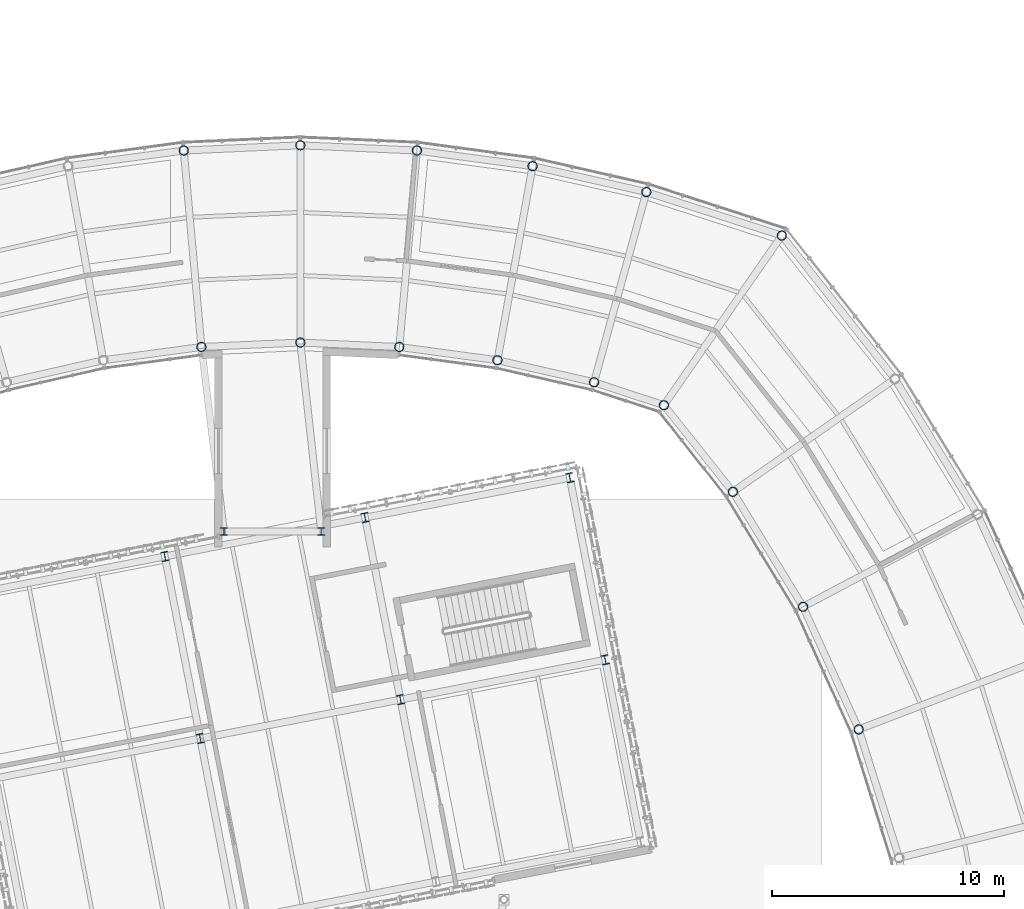
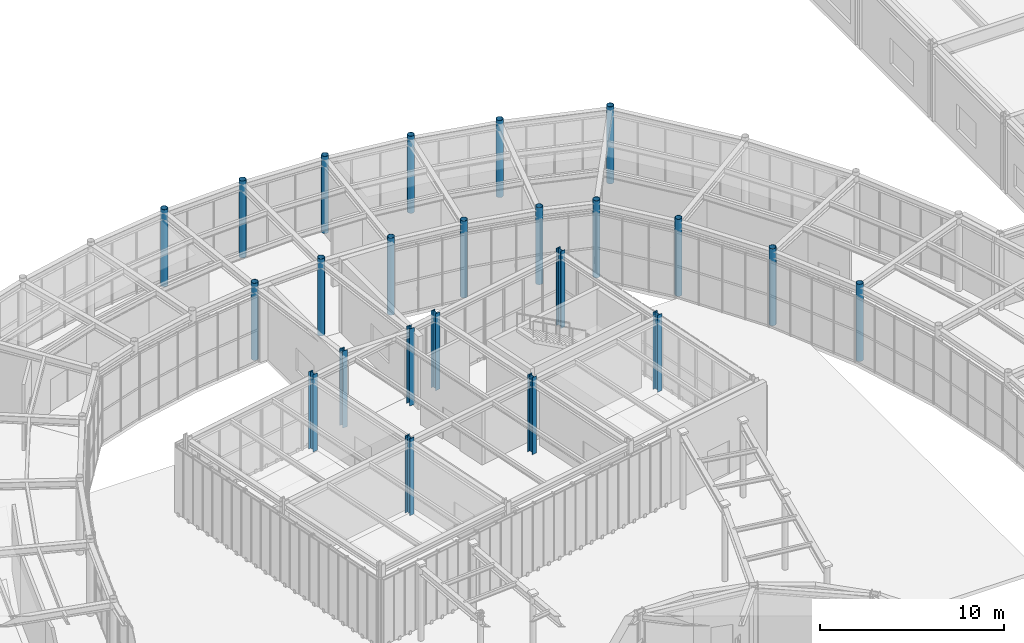
# One storey, part 12 of 97: 23 columns.
"""IFC4 building model written with IfcOpenShell, lengths in metres."""

from ifc_helpers import new_model, si_unit, direction, frame, origin, origin_2d, place, context, subcontext, project, spatial, hollow_circle, i_section, extrude, material, material_profile, profile_set, type_object, element, save


model = new_model("IFC4")

# Units and contexts
model_context = context("Model", 3, precision=1e-05, world=origin(), true_north=direction((0.0, 1.0)))
body_context = subcontext(model_context, "Body", "Model", "MODEL_VIEW")
ifc_project = project(units=[si_unit("LENGTHUNIT", "METRE"), si_unit("AREAUNIT", "SQUARE_METRE"), si_unit("VOLUMEUNIT", "CUBIC_METRE"), si_unit("PLANEANGLEUNIT", "RADIAN"), si_unit("MASSUNIT", "GRAM", prefix="KILO")], contexts=[model_context])

# Site, building, storey
site_placement = place(None, origin())
site = spatial("IfcSite", under=ifc_project, at=site_placement, CompositionType="ELEMENT")
building_placement = place(site_placement, origin())
building = spatial("IfcBuilding", under=site, at=building_placement, Name="Varnklinge Art Gallery", CompositionType="ELEMENT")
storey_placement = place(building_placement, origin())
storey = spatial("IfcBuildingStorey", under=building, at=storey_placement, Name="L00", CompositionType="ELEMENT", Elevation=0.0)

# Columns
ifc_material_1 = material(Name="Steel S355", Category="steel")
ifc_material_profile_1 = material_profile(ifc_material_1, i_section(OverallWidth=0.300048828125, OverallDepth=0.39990234375, WebThickness=0.013427734375, FlangeThickness=0.02392578125, FilletRadius=0.027099609375, at=origin_2d()), Name="HEB 400")
ifc_profile_set_1 = profile_set([ifc_material_profile_1], Name="Steel S355")
column_type_1 = type_object("IfcColumnType", Name="COL-07", PredefinedType="COLUMN", material=ifc_profile_set_1)
for number, where, z_axis, x_axis, name in (
    (1, (71.180908203125, 71.660400390625, 0.0), (0.0, 0.0, 1.0), (0.981627183448, 0.190808995377, 0.0), "L00 Column V4BC-2-2"),
    (2, (79.819091796875, 73.339599609375, 0.0), (0.0, 0.0, 1.0), (0.981627183448, 0.190808995377, 0.0), "L00 Column V4BC-3-2"),
):
    element("IfcColumn", number, at=place(storey_placement, frame(where, z_axis=z_axis, x_axis=x_axis)), inside=storey, type_object=column_type_1, Name=name, PredefinedType="COLUMN", context=body_context, shape_type="SweptSolid", body=[
        extrude(i_section(OverallWidth=0.300048828125, OverallDepth=0.39990234375, WebThickness=0.013427734375, FlangeThickness=0.02392578125, FilletRadius=0.027099609375, at=origin_2d()), origin(), (0.0, 0.0, 1.0), 5.10009765625),
    ])
ifc_material_2 = material(Name="Steel S355", Category="steel")
ifc_material_profile_2 = material_profile(ifc_material_2, i_section(OverallWidth=0.300048828125, OverallDepth=0.320068359375, WebThickness=0.011474609375, FlangeThickness=0.0205078125, FilletRadius=0.027099609375, at=origin_2d()), Name="HEB 320")
ifc_profile_set_2 = profile_set([ifc_material_profile_2], Name="Steel S355")
column_type_2 = type_object("IfcColumnType", Name="COL-09", PredefinedType="COLUMN", material=ifc_profile_set_2)
for number, where, z_axis, x_axis, name in (
    (3, (72.199951171875, 80.60009765625, 0.0), (0.0, 0.0, 1.0), (1.0, 0.0, 0.0), "L00 Column LNK-V4N-C1"),
    (4, (76.39990234375, 80.60009765625, 0.0), (0.0, 0.0, 1.0), (1.0, 0.0, 0.0), "L00 Column LNK-V4N-C2"),
):
    element("IfcColumn", number, at=place(storey_placement, frame(where, z_axis=z_axis, x_axis=x_axis)), inside=storey, type_object=column_type_2, Name=name, PredefinedType="COLUMN", context=body_context, shape_type="SweptSolid", body=[
        extrude(i_section(OverallWidth=0.300048828125, OverallDepth=0.320068359375, WebThickness=0.011474609375, FlangeThickness=0.0205078125, FilletRadius=0.027099609375, at=origin_2d()), origin(), (0.0, 0.0, 1.0), 5.10009765625),
    ])
ifc_material_3 = material(Name="Steel S355", Category="steel")
ifc_material_profile_3 = material_profile(ifc_material_3, i_section(OverallWidth=0.300048828125, OverallDepth=0.39990234375, WebThickness=0.013427734375, FlangeThickness=0.02392578125, FilletRadius=0.027099609375, at=origin_2d()), Name="HEB 400")
ifc_profile_set_3 = profile_set([ifc_material_profile_3], Name="Steel S355")
column_type_3 = type_object("IfcColumnType", Name="COL-E3", PredefinedType="COLUMN", material=ifc_profile_set_3)
for number, where, z_axis, x_axis, name in (
    (5, (69.654296875, 79.513427734375, 0.0), (0.0, 0.0, 1.0), (0.981627183448, 0.190808995377, 0.0), "L00 Column V4BC-2-3"),
    (6, (78.292724609375, 81.192626953125, 0.0), (0.0, 0.0, 1.0), (0.981627183448, 0.190808995377, 0.0), "L00 Column V4BC-3-3"),
    (7, (88.65380859375, 75.056884765625, 0.0), (0.0, 0.0, 1.0), (0.981627183448, 0.190808995377, 0.0), "L00 Column V4BC-4-2"),
    (8, (87.127197265625, 82.909912109375, 0.0), (0.0, 0.0, 1.0), (0.981627183448, 0.190808995377, 0.0), "L00 Column V4BC-4-3"),
):
    element("IfcColumn", number, at=place(storey_placement, frame(where, z_axis=z_axis, x_axis=x_axis)), inside=storey, type_object=column_type_3, Name=name, PredefinedType="COLUMN", context=body_context, shape_type="SweptSolid", body=[
        extrude(i_section(OverallWidth=0.300048828125, OverallDepth=0.39990234375, WebThickness=0.013427734375, FlangeThickness=0.02392578125, FilletRadius=0.027099609375, at=origin_2d()), origin(), (0.0, 0.0, 1.0), 5.10009765625),
    ])
ifc_material_4 = material(Name="Steel S355", Category="steel")
ifc_material_profile_4 = material_profile(ifc_material_4, hollow_circle(Radius=0.203125, WallThickness=0.02001953125, at=origin_2d()), Name="CHS 406.4x20")
ifc_profile_set_4 = profile_set([ifc_material_profile_4], Name="Steel S355")
column_type_4 = type_object("IfcColumnType", Name="COL-E5", PredefinedType="COLUMN", material=ifc_profile_set_4)
for number, where, z_axis, x_axis, name in (
    (9, (99.59130859375, 72.0546875, 0.0), (0.0, 0.0, 1.0), (-0.934017558691, -0.357227098715, 0.0), "L00 Column V2CI-10"),
    (10, (97.189697265625, 77.344482421875, 0.0), (0.0, 0.0, 1.0), (-0.883683947469, -0.468084053333, 0.0), "L00 Column V2CI-11"),
    (11, (94.1630859375, 82.3037109375, 0.0), (0.0, 0.0, 1.0), (-0.820351542489, -0.571859551582, 0.0), "L00 Column V2CI-12"),
    (12, (96.27099609375, 93.35986328125, 0.0), (0.0, 0.0, 1.0), (-0.570570241419, -0.821248804935, 0.0), "L00 Column V2CO-13"),
    (13, (91.185791015625, 86.041015625, 0.0), (0.0, 0.0, 1.0), (-0.570570241419, -0.821248804935, 0.0), "L00 Column V2CI-13"),
    (14, (90.4296875, 95.2373046875, 0.0), (0.0, 0.0, 1.0), (-0.265387847052, -0.964141737836, 0.0), "L00 Column V2CO-14"),
    (15, (88.17138671875, 87.033203125, 0.0), (0.0, 0.0, 1.0), (-0.265387847052, -0.964141737836, 0.0), "L00 Column V2CI-14"),
    (16, (85.520263671875, 96.35498046875, 0.0), (0.0, 0.0, 1.0), (-0.178115290264, -0.984009625651, 0.0), "L00 Column V2CO-15"),
    (17, (84.00439453125, 87.981689453125, 0.0), (0.0, 0.0, 1.0), (-0.178115290264, -0.984009625651, 0.0), "L00 Column V2CI-15"),
    (18, (80.5302734375, 97.029296875, 0.0), (0.0, 0.0, 1.0), (-0.089415810539, -0.995994383933, 0.0), "L00 Column V2CO-16"),
    (19, (79.769287109375, 88.55419921875, 0.0), (0.0, 0.0, 1.0), (-0.089415810539, -0.995994383933, 0.0), "L00 Column V2CI-16"),
    (20, (75.5, 97.254638671875, 0.0), (0.0, 0.0, 1.0), (0.0, -1.0, 0.0), "L00 Column V2CO-17"),
    (21, (75.5, 88.745361328125, 0.0), (0.0, 0.0, 1.0), (0.0, -1.0, 0.0), "L00 Column V2CI-17"),
    (22, (70.4697265625, 97.029296875, 0.0), (0.0, 0.0, 1.0), (0.089415810539, -0.995994383933, 0.0), "L00 Column V2CO-18"),
    (23, (71.230712890625, 88.55419921875, 0.0), (0.0, 0.0, 1.0), (0.089415810539, -0.995994383933, 0.0), "L00 Column V2CI-18"),
):
    element("IfcColumn", number, at=place(storey_placement, frame(where, z_axis=z_axis, x_axis=x_axis)), inside=storey, type_object=column_type_4, Name=name, PredefinedType="COLUMN", context=body_context, shape_type="SweptSolid", body=[
        extrude(hollow_circle(Radius=0.203125, WallThickness=0.02001953125, at=origin_2d()), origin(), (0.0, 0.0, 1.0), 5.10009765625),
    ])

save(model, "model.ifc")
